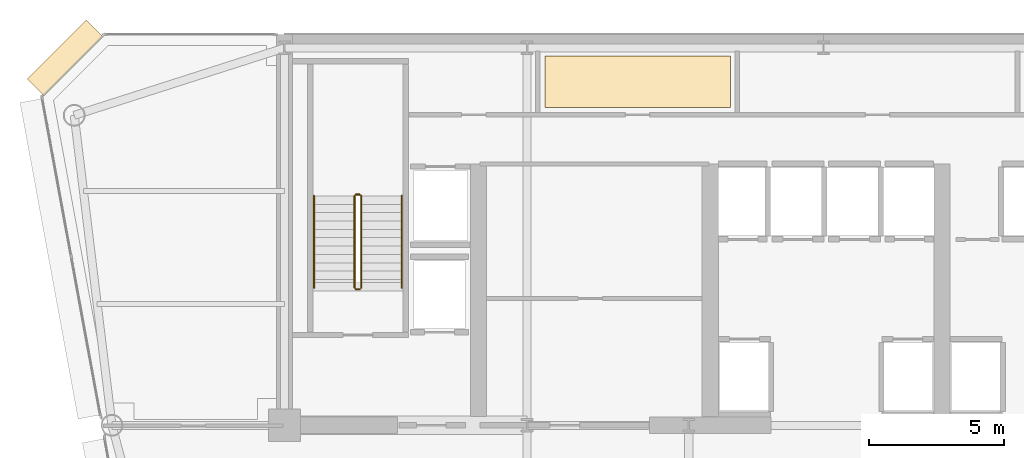
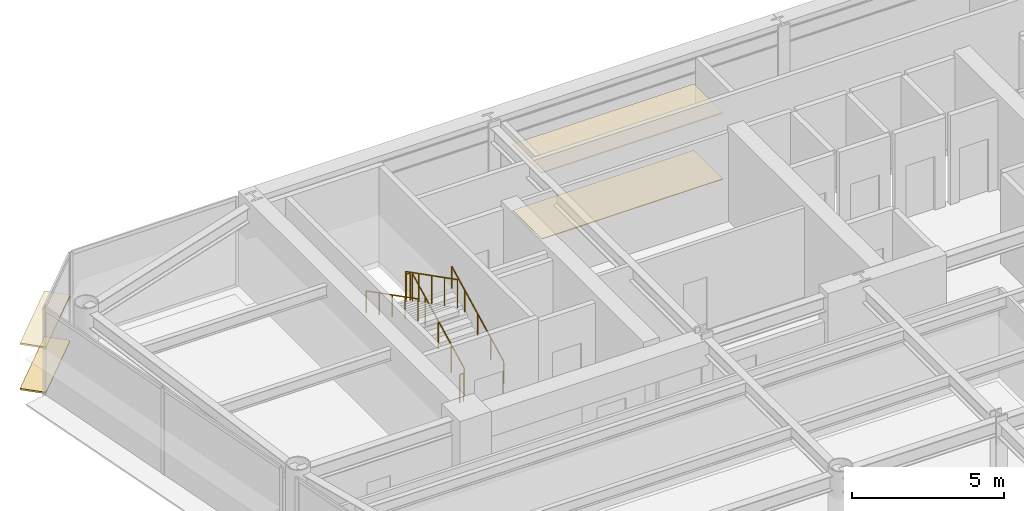
# One storey, part 14 of 16: 6 railings, 4 coverings.
"""IFC4 building model written with IfcOpenShell, lengths in metres."""

import ifcopenshell
import ifcopenshell.guid

model = None  # the IFC model being written
_history = None  # IfcOwnerHistory: only IFC2X3 demands one
_inside = {}  # id of a spatial element -> (the spatial element, [elements in it])
_under = {}  # id of a project, library or spatial element -> (it, [spatial elements below it])
_declared = {}  # id of a project -> (the project, [libraries it declares])
_typed = {}  # id of a type object -> (the type object, [elements of that type])
_made_of = {}  # id of a material, layer set ... -> (it, [elements and type objects made of it])


def new_model(schema):
    """Start an empty IFC model of exactly this schema.

    Asked for "IFC4X3", IfcOpenShell would pick the latest addendum, in which some entities
    have other attributes; the version numbers below select the first issue.
    IFC2X3 requires an IfcOwnerHistory on every rooted entity: one is made here for all.
    """
    global model, _history
    if schema == "IFC4X3":
        model = ifcopenshell.file(schema_version=(4, 3, 0, 0))
    else:
        model = ifcopenshell.file(schema=schema)
    _inside.clear()
    _under.clear()
    _declared.clear()
    _typed.clear()
    _made_of.clear()
    _history = None
    if model.schema == "IFC2X3":
        org = make("IfcOrganization", Name="unknown")
        user = make(
            "IfcPersonAndOrganization",
            ThePerson=make("IfcPerson", FamilyName="unknown"),
            TheOrganization=org,
        )
        app = make(
            "IfcApplication",
            ApplicationDeveloper=org,
            Version="unknown",
            ApplicationFullName="unknown",
            ApplicationIdentifier="unknown",
        )
        _history = make(
            "IfcOwnerHistory",
            OwningUser=user,
            OwningApplication=app,
            ChangeAction="ADDED",
            CreationDate=0,
        )
    return model


def make(cls, **values):
    """One entity of the class cls with the attributes given. An attribute that is None is left unset."""
    return model.create_entity(
        cls, **{name: value for name, value in values.items() if value is not None}
    )


def rooted(cls, **values):
    """An entity with a GlobalId (a new one), such as an element, a storey or a relation."""
    return make(cls, GlobalId=ifcopenshell.guid.new(), OwnerHistory=_history, **values)


def si_unit(unit_type, name, prefix=None):
    """IfcSIUnit, for example si_unit("LENGTHUNIT", "METRE", prefix="MILLI")."""
    return make("IfcSIUnit", UnitType=unit_type, Prefix=prefix, Name=name)


def assignment(units):
    """IfcUnitAssignment: the units of a project."""
    return None if units is None else make("IfcUnitAssignment", Units=units)


def point(xyz):
    """IfcCartesianPoint."""
    return None if xyz is None else make("IfcCartesianPoint", Coordinates=xyz)


def direction(xyz):
    """IfcDirection."""
    return None if xyz is None else make("IfcDirection", DirectionRatios=xyz)


def frame(location, z_axis=None, x_axis=None):
    """IfcAxis2Placement3D, a coordinate frame: its origin and axes. An axis left out is left unset."""
    return make(
        "IfcAxis2Placement3D",
        Location=point(location),
        Axis=direction(z_axis),
        RefDirection=direction(x_axis),
    )


def frame_2d(location, x_axis=None):
    """IfcAxis2Placement2D, a coordinate frame in the plane: its origin and x axis."""
    return make(
        "IfcAxis2Placement2D", Location=point(location), RefDirection=direction(x_axis)
    )


def origin():
    """The frame at (0, 0, 0) with its axes left unset."""
    return frame((0.0, 0.0, 0.0))


def origin_2d():
    """The frame at (0, 0) in the plane with its x axis left unset."""
    return frame_2d((0.0, 0.0))


def place(relative_to, where):
    """IfcLocalPlacement: puts the frame where relative to a parent placement (None: the world)."""
    return make(
        "IfcLocalPlacement", PlacementRelTo=relative_to, RelativePlacement=where
    )


def context(
    kind, dimensions, precision=None, world=None, true_north=None, identifier=None
):
    """IfcGeometricRepresentationContext, for example the 3D "Model" context."""
    return make(
        "IfcGeometricRepresentationContext",
        ContextIdentifier=identifier,
        ContextType=kind,
        CoordinateSpaceDimension=dimensions,
        Precision=precision,
        WorldCoordinateSystem=world,
        TrueNorth=true_north,
    )


def subcontext(parent, identifier, kind, view, scale=None):
    """IfcGeometricRepresentationSubContext, for example "Body" below "Model"."""
    return make(
        "IfcGeometricRepresentationSubContext",
        ContextIdentifier=identifier,
        ContextType=kind,
        ParentContext=parent,
        TargetScale=scale,
        TargetView=view,
    )


def project(units=None, contexts=None):
    """IfcProject with its units and contexts."""
    return rooted(
        "IfcProject",
        Name="project",
        RepresentationContexts=contexts,
        UnitsInContext=assignment(units),
    )


def spatial(cls, under=None, at=None, **own):
    """A site, building, storey or space (cls), placed at a placement, below another one or the project."""
    s = rooted(cls, ObjectPlacement=at, **own)
    if under is not None:
        _under.setdefault(under.id(), (under, []))[1].append(s)
    return s


def polyline(points):
    """IfcPolyline through the points."""
    return make("IfcPolyline", Points=[point(p) for p in points])


def profile(cls, at=None, kind="AREA", **sizes):
    """A parametric profile (cls). Its sizes go by their IFC names, for example OverallWidth=200.0."""
    return make(cls, ProfileType=kind, Position=at, **sizes)


def rectangle(**sizes):
    """IfcRectangleProfileDef."""
    return profile("IfcRectangleProfileDef", **sizes)


def circle(**sizes):
    """IfcCircleProfileDef."""
    return profile("IfcCircleProfileDef", **sizes)


def outline(outer, holes=None, kind="AREA"):
    """IfcArbitraryClosedProfileDef: a profile drawn as a closed curve; with holes, ...WithVoids."""
    if holes is None:
        return make("IfcArbitraryClosedProfileDef", ProfileType=kind, OuterCurve=outer)
    return make(
        "IfcArbitraryProfileDefWithVoids",
        ProfileType=kind,
        OuterCurve=outer,
        InnerCurves=holes,
    )


def extrude(swept, where, along, depth):
    """IfcExtrudedAreaSolid: the profile swept, set in the frame where, extruded along a direction by depth."""
    return make(
        "IfcExtrudedAreaSolid",
        SweptArea=swept,
        Position=where,
        ExtrudedDirection=direction(along),
        Depth=depth,
    )


def shape(context_of_items, identifier, shape_type, items):
    """IfcShapeRepresentation: the items that make up one representation, for example the "Body"."""
    return make(
        "IfcShapeRepresentation",
        ContextOfItems=context_of_items,
        RepresentationIdentifier=identifier,
        RepresentationType=shape_type,
        Items=items,
    )


def source(mapping_origin, context_of_items, identifier, shape_type, items):
    """IfcRepresentationMap: a shape defined once, which mapped items show again and again."""
    return make(
        "IfcRepresentationMap",
        MappingOrigin=mapping_origin,
        MappedRepresentation=shape(context_of_items, identifier, shape_type, items),
    )


def transform(
    local_origin,
    x_axis=None,
    y_axis=None,
    z_axis=None,
    scale=None,
    scale2=None,
    scale3=None,
    uniform=True,
):
    """IfcCartesianTransformationOperator3D, or its non-uniform kind. x_axis, y_axis, z_axis: its Axis1, 2, 3."""
    if uniform:
        return make(
            "IfcCartesianTransformationOperator3D",
            Axis1=direction(x_axis),
            Axis2=direction(y_axis),
            LocalOrigin=point(local_origin),
            Scale=scale,
            Axis3=direction(z_axis),
        )
    return make(
        "IfcCartesianTransformationOperator3DnonUniform",
        Axis1=direction(x_axis),
        Axis2=direction(y_axis),
        LocalOrigin=point(local_origin),
        Scale=scale,
        Axis3=direction(z_axis),
        Scale2=scale2,
        Scale3=scale3,
    )


def mapped(mapping_source, mapping_target):
    """IfcMappedItem: shows the shape of a source again, moved by a transform."""
    return make(
        "IfcMappedItem", MappingSource=mapping_source, MappingTarget=mapping_target
    )


def material(Name=None, Category=None):
    """IfcMaterial."""
    return make("IfcMaterial", Name=Name, Category=Category)


def layer(
    of_material, thickness, ventilated=None, Name=None, Category=None, Priority=None
):
    """IfcMaterialLayer: one layer of a wall or slab, of a material (None: an air gap)."""
    return make(
        "IfcMaterialLayer",
        Material=of_material,
        LayerThickness=thickness,
        IsVentilated=ventilated,
        Name=Name,
        Category=Category,
        Priority=Priority,
    )


def layer_set(layers, Name=None):
    """IfcMaterialLayerSet."""
    return make("IfcMaterialLayerSet", MaterialLayers=layers, LayerSetName=Name)


def made_of(thing, what):
    """Note that an element or type object is made of a material, layer set ...; save() writes the relation."""
    if what is not None:
        _made_of.setdefault(what.id(), (what, []))[1].append(thing)
    return thing


def type_object(cls, material=None, **own):
    """A type object (cls), such as IfcWallType, which elements share."""
    return made_of(rooted(cls, **own), material)


def element(
    cls,
    number,
    at=None,
    inside=None,
    cuts=None,
    type_object=None,
    material=None,
    context=None,
    identifier="Body",
    shape_type=None,
    held_by="IfcProductDefinitionShape",
    body=None,
    shapes=None,
    **own,
):
    """One element of the class cls, such as IfcWall. Its Tag is "e" and its number.

    at: its placement. inside: the storey or other place that contains it. cuts: it is an
    opening in that element (IfcRelVoidsElement). A single representation is given by context,
    identifier, shape_type and body (its items); several are given by shapes. held_by: the class
    of the entity that holds the representations. save() writes the other relations.
    """
    e = rooted(cls, Tag="e%d" % number, ObjectPlacement=at, **own)
    if body is not None:
        shapes = [shape(context, identifier, shape_type, body)]
    if shapes is not None:
        e.Representation = make(held_by, Representations=shapes)
    if inside is not None:
        _inside.setdefault(inside.id(), (inside, []))[1].append(e)
    if cuts is not None:
        rooted(
            "IfcRelVoidsElement", RelatingBuildingElement=cuts, RelatedOpeningElement=e
        )
    if type_object is not None:
        _typed.setdefault(type_object.id(), (type_object, []))[1].append(e)
    return made_of(e, material)


def aggregate(whole, parts):
    """IfcRelAggregates: a whole, such as a stair, and the parts it consists of."""
    return rooted("IfcRelAggregates", RelatingObject=whole, RelatedObjects=parts)


def save(model, path):
    """Write the relations noted so far, then the file.

    IfcRelAggregates (storeys below a building ...), IfcRelContainedInSpatialStructure (elements
    in a storey), IfcRelDefinesByType, IfcRelAssociatesMaterial and IfcRelDeclares: one each for
    every whole, place, type object, material and project.
    """
    for whole, parts in _under.values():
        aggregate(whole, parts)
    for where, things in _inside.values():
        rooted(
            "IfcRelContainedInSpatialStructure",
            RelatedElements=things,
            RelatingStructure=where,
        )
    for kind, things in _typed.values():
        rooted("IfcRelDefinesByType", RelatedObjects=things, RelatingType=kind)
    for what, things in _made_of.values():
        rooted("IfcRelAssociatesMaterial", RelatedObjects=things, RelatingMaterial=what)
    for by, libraries in _declared.values():
        rooted("IfcRelDeclares", RelatingContext=by, RelatedDefinitions=libraries)
    model.write(path)


model = new_model("IFC4")

# Units and contexts
model_context = context("Model", 3, precision=1e-05, world=origin(), true_north=direction((0.0, 1.0)))
body_context = subcontext(model_context, "Body", "Model", "MODEL_VIEW")
ifc_project = project(units=[si_unit("LENGTHUNIT", "METRE"), si_unit("AREAUNIT", "SQUARE_METRE"), si_unit("VOLUMEUNIT", "CUBIC_METRE"), si_unit("PLANEANGLEUNIT", "RADIAN"), si_unit("MASSUNIT", "GRAM", prefix="KILO")], contexts=[model_context])

# Site, building, storey
site_placement = place(None, origin())
site = spatial("IfcSite", under=ifc_project, at=site_placement, CompositionType="ELEMENT")
building_placement = place(site_placement, origin())
building = spatial("IfcBuilding", under=site, at=building_placement, Name="Vaeldorn Concourse Tower", CompositionType="ELEMENT")
storey_placement = place(building_placement, frame((0.0, 0.0, 191.800048828125)))
storey = spatial("IfcBuildingStorey", under=building, at=storey_placement, Name="L49", CompositionType="ELEMENT", Elevation=191.800048828125)

# Coverings
ifc_material_1 = material(Name="Acoustic Mineral Fibre Board", Category="gypsum")
ifc_layer_1 = layer(ifc_material_1, 0.0400390625)
ifc_layer_set_1 = layer_set([ifc_layer_1], Name="Acoustic Mineral Fibre Board")
covering_type_1 = type_object("IfcCoveringType", Name="COV-CEIL-ACOUSTIC", PredefinedType="CEILING", material=ifc_layer_set_1)
covering_1_placement = place(storey_placement, frame((0.0, 0.0, 2.64990234375)))
element("IfcCovering", 1, at=covering_1_placement, inside=storey, type_object=covering_type_1, Name="Suspended Acoustic Ceiling L49-2", PredefinedType="CEILING", context=body_context, shape_type="SweptSolid", body=[
    extrude(outline(polyline([(30.5400390625, 50.199951171875), (30.5400390625, 48.300048828125), (23.659912109375, 48.300048828125), (23.659912109375, 50.199951171875), (30.5400390625, 50.199951171875)])), origin(), (0.0, 0.0, 1.0), 0.0400390625),
])
ifc_material_2 = material(Name="Honed Limestone Terrazzo Flooring", Category="masonry")
ifc_layer_2 = layer(ifc_material_2, 0.0400390625)
ifc_layer_set_2 = layer_set([ifc_layer_2], Name="Honed Limestone Terrazzo Flooring")
covering_type_2 = type_object("IfcCoveringType", Name="COV-FLOOR-STONE", PredefinedType="FLOORING", material=ifc_layer_set_2)
covering_2_placement = place(storey_placement, origin())
element("IfcCovering", 2, at=covering_2_placement, inside=storey, type_object=covering_type_2, Name="Floor Finish Covering L49-2", PredefinedType="FLOORING", context=body_context, shape_type="SweptSolid", body=[
    extrude(outline(polyline([(30.5400390625, 50.199951171875), (30.5400390625, 48.300048828125), (23.659912109375, 48.300048828125), (23.659912109375, 50.199951171875), (30.5400390625, 50.199951171875)])), origin(), (0.0, 0.0, 1.0), 0.030029296875),
])

# Railings
ifc_material_3 = material(Name="Anodised Bronze Aluminium", Category="aluminium")
railing_type_1 = type_object("IfcRailingType", Name="RL-STAIR-GUARD", PredefinedType="GUARDRAIL", material=ifc_material_3)
railing_1_placement = place(storey_placement, frame((16.85009765625, 41.60009765625, 0.158203125)))
element("IfcRailing", 3, at=railing_1_placement, inside=storey, type_object=railing_type_1, Name="L49 ST-1 stair guard 1", PredefinedType="GUARDRAIL", context=body_context, shape_type="SweptSolid", body=[
    extrude(circle(Radius=0.02392578125, at=origin_2d()), frame((0.0, 0.0, 1.1259765625), z_axis=(0.0, 0.890555807335, 0.454873997962), x_axis=(-1.0, 0.0, 0.0)), (0.0, 0.0, 1.0), 3.828857421875),
    extrude(circle(Radius=0.02099609375, at=origin_2d()), origin(), (0.0, 0.0, 1.0), 1.101806640625),
    extrude(circle(Radius=0.02099609375, at=origin_2d()), frame((0.0, 0.8525390625, 0.435546875)), (0.0, 0.0, 1.0), 1.101806640625),
    extrude(circle(Radius=0.02099609375, at=origin_2d()), frame((0.0, 1.705078125, 0.870849609375)), (0.0, 0.0, 1.0), 1.101806640625),
    extrude(circle(Radius=0.02099609375, at=origin_2d()), frame((0.0, 2.557373046875, 1.30615234375)), (0.0, 0.0, 1.0), 1.101806640625),
    extrude(circle(Radius=0.02099609375, at=origin_2d()), frame((0.0, 3.409912109375, 1.74169921875)), (0.0, 0.0, 1.0), 1.101806640625),
])
railing_2_placement = place(storey_placement, frame((16.800048828125, 45.06005859375, 1.89990234375)))
element("IfcRailing", 4, at=railing_2_placement, inside=storey, type_object=railing_type_1, Name="L49 ST-1 stair guard 2", PredefinedType="GUARDRAIL", context=body_context, shape_type="SweptSolid", body=[
    extrude(circle(Radius=0.02392578125, at=origin_2d()), frame((0.0, 0.0, 1.1259765625), z_axis=(-1.0, 0.0, 0.0), x_axis=(0.0, -1.0, 0.0)), (0.0, 0.0, 1.0), 0.150146484375),
    extrude(circle(Radius=0.02099609375, at=origin_2d()), origin(), (0.0, 0.0, 1.0), 1.101806640625),
    extrude(circle(Radius=0.02099609375, at=origin_2d()), frame((-0.150146484375, 0.0, 0.0)), (0.0, 0.0, 1.0), 1.101806640625),
])
railing_3_placement = place(storey_placement, frame((16.60009765625, 45.010009765625, 2.058349609375)))
element("IfcRailing", 5, at=railing_3_placement, inside=storey, type_object=railing_type_1, Name="L49 ST-1 stair guard 3", PredefinedType="GUARDRAIL", context=body_context, shape_type="SweptSolid", body=[
    extrude(circle(Radius=0.02392578125, at=origin_2d()), frame((0.0, 0.0, 1.1259765625), z_axis=(0.0, -0.890555807335, 0.454873997962), x_axis=(1.0, 0.0, 0.0)), (0.0, 0.0, 1.0), 3.828857421875),
    extrude(circle(Radius=0.02099609375, at=origin_2d()), origin(), (0.0, 0.0, 1.0), 1.101806640625),
    extrude(circle(Radius=0.02099609375, at=origin_2d()), frame((0.0, -0.8525390625, 0.435546875)), (0.0, 0.0, 1.0), 1.101806640625),
    extrude(circle(Radius=0.02099609375, at=origin_2d()), frame((0.0, -1.705078125, 0.870849609375)), (0.0, 0.0, 1.0), 1.101806640625),
    extrude(circle(Radius=0.02099609375, at=origin_2d()), frame((0.0, -2.557373046875, 1.30615234375)), (0.0, 0.0, 1.0), 1.101806640625),
    extrude(circle(Radius=0.02099609375, at=origin_2d()), frame((0.0, -3.409912109375, 1.74169921875)), (0.0, 0.0, 1.0), 1.101806640625),
])
railing_4_placement = place(storey_placement, frame((16.800048828125, 41.550048828125, 0.0)))
element("IfcRailing", 6, at=railing_4_placement, inside=storey, type_object=railing_type_1, Name="L49 ST-1 stair guard 4", PredefinedType="GUARDRAIL", context=body_context, shape_type="SweptSolid", body=[
    extrude(circle(Radius=0.02392578125, at=origin_2d()), frame((0.0, 0.0, 1.1259765625), z_axis=(-1.0, 0.0, 0.0), x_axis=(0.0, -1.0, 0.0)), (0.0, 0.0, 1.0), 0.150146484375),
    extrude(circle(Radius=0.02099609375, at=origin_2d()), origin(), (0.0, 0.0, 1.0), 1.101806640625),
    extrude(circle(Radius=0.02099609375, at=origin_2d()), frame((-0.150146484375, 0.0, 0.0)), (0.0, 0.0, 1.0), 1.101806640625),
])
railing_type_2 = type_object("IfcRailingType", Name="RL-STAIR-HANDRAIL", PredefinedType="HANDRAIL", material=ifc_material_3)
railing_5_placement = place(storey_placement, frame((18.35009765625, 41.60009765625, 0.158203125)))
element("IfcRailing", 7, at=railing_5_placement, inside=storey, type_object=railing_type_2, Name="L49 ST-1 stair handrail 1", PredefinedType="HANDRAIL", context=body_context, shape_type="SweptSolid", body=[
    extrude(circle(Radius=0.02392578125, at=origin_2d()), frame((0.0, 0.0, 0.8759765625), z_axis=(0.0, 0.890555807335, 0.454873997962), x_axis=(-1.0, 0.0, 0.0)), (0.0, 0.0, 1.0), 3.828857421875),
    extrude(circle(Radius=0.02099609375, at=origin_2d()), origin(), (0.0, 0.0, 1.0), 0.851806640625),
    extrude(circle(Radius=0.02099609375, at=origin_2d()), frame((0.0, 0.8525390625, 0.435546875)), (0.0, 0.0, 1.0), 0.851806640625),
    extrude(circle(Radius=0.02099609375, at=origin_2d()), frame((0.0, 1.705078125, 0.870849609375)), (0.0, 0.0, 1.0), 0.851806640625),
    extrude(circle(Radius=0.02099609375, at=origin_2d()), frame((0.0, 2.557373046875, 1.30615234375)), (0.0, 0.0, 1.0), 0.851806640625),
    extrude(circle(Radius=0.02099609375, at=origin_2d()), frame((0.0, 3.409912109375, 1.74169921875)), (0.0, 0.0, 1.0), 0.851806640625),
])
railing_6_placement = place(storey_placement, frame((15.10009765625, 45.010009765625, 2.058349609375)))
element("IfcRailing", 8, at=railing_6_placement, inside=storey, type_object=railing_type_2, Name="L49 ST-1 stair handrail 2", PredefinedType="HANDRAIL", context=body_context, shape_type="SweptSolid", body=[
    extrude(circle(Radius=0.02392578125, at=origin_2d()), frame((0.0, 0.0, 0.8759765625), z_axis=(0.0, -0.890555807335, 0.454873997962), x_axis=(1.0, 0.0, 0.0)), (0.0, 0.0, 1.0), 3.828857421875),
    extrude(circle(Radius=0.02099609375, at=origin_2d()), origin(), (0.0, 0.0, 1.0), 0.851806640625),
    extrude(circle(Radius=0.02099609375, at=origin_2d()), frame((0.0, -0.8525390625, 0.435546875)), (0.0, 0.0, 1.0), 0.851806640625),
    extrude(circle(Radius=0.02099609375, at=origin_2d()), frame((0.0, -1.705078125, 0.870849609375)), (0.0, 0.0, 1.0), 0.851806640625),
    extrude(circle(Radius=0.02099609375, at=origin_2d()), frame((0.0, -2.557373046875, 1.30615234375)), (0.0, 0.0, 1.0), 0.851806640625),
    extrude(circle(Radius=0.02099609375, at=origin_2d()), frame((0.0, -3.409912109375, 1.74169921875)), (0.0, 0.0, 1.0), 0.851806640625),
])

# Coverings
ifc_layer_3 = layer(ifc_material_3, 0.06494140625)
ifc_layer_set_3 = layer_set([ifc_layer_3], Name="Anodised Bronze Aluminium")
covering_type_3 = type_object("IfcCoveringType", Name="SD-BRONZE-SUNSHADE", PredefinedType="USERDEFINED", material=ifc_layer_set_3)
shared_shape = source(origin(), body_context, "Body", "SweptSolid", [
    extrude(rectangle(XDim=3.0927734375, YDim=0.8798828125, at=origin_2d()), origin(), (0.0, 0.0, 1.0), 0.06494140625),
])
for number, where, z_axis, x_axis, name in (
    (9, (5.8671875, 50.1328125, 0.04736328125), (0.0, 0.0, 1.0), (-0.707106781187, -0.707106781187, 0.0), "Horizontal Bronze Sunshade L49-E10.1.1"),
    (10, (5.8671875, 50.1328125, 1.867431640625), (0.0, 0.0, 1.0), (-0.707106781187, -0.707106781187, 0.0), "Horizontal Bronze Sunshade L49-E10.1.2"),
):
    element("IfcCovering", number, at=place(storey_placement, frame(where, z_axis=z_axis, x_axis=x_axis)), inside=storey, type_object=covering_type_3, Name=name, ObjectType="SUNSHADE", PredefinedType="USERDEFINED", context=body_context, shape_type="MappedRepresentation", body=[
        mapped(shared_shape, transform((0.0, 0.0, 0.0), scale=1.0)),
    ])

save(model, "model.ifc")
